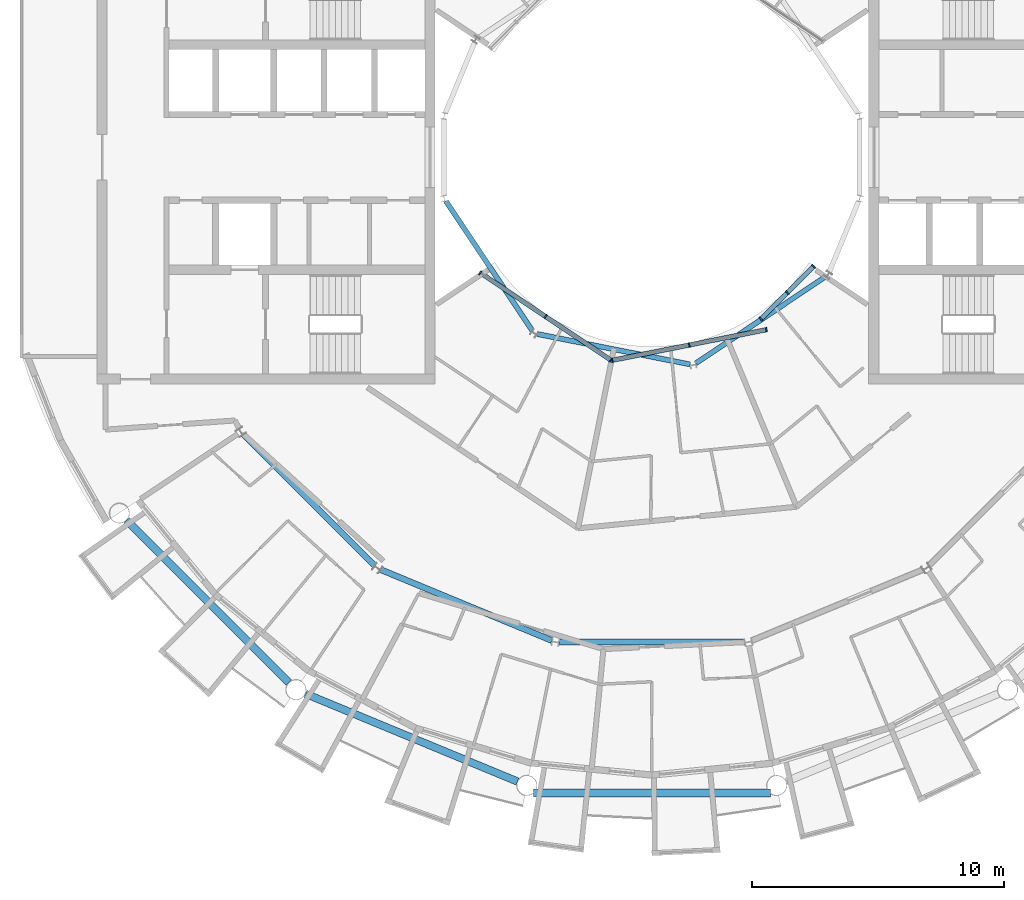
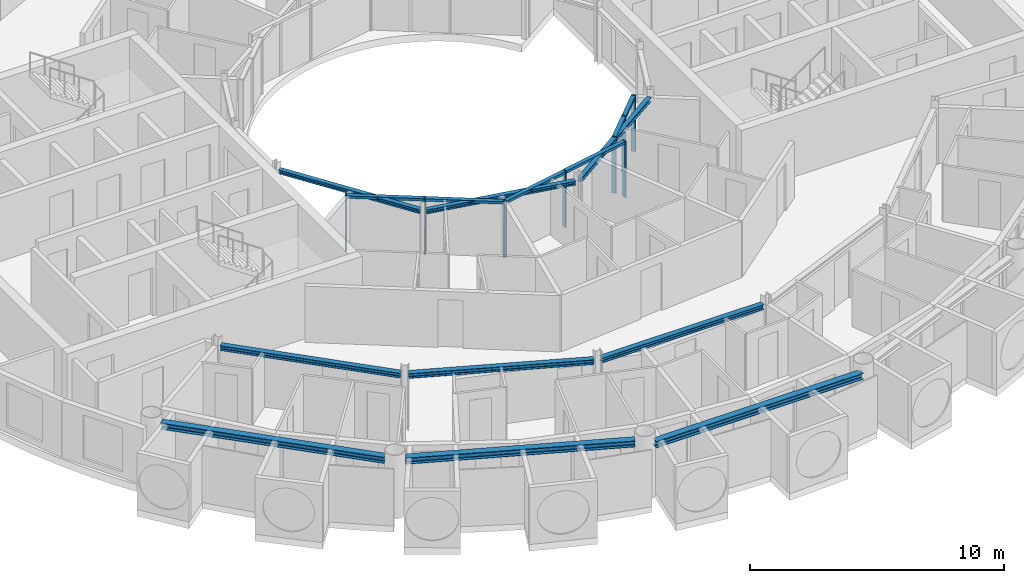
# One storey, part 6 of 27: 15 members, 9 beams, 3 elements without a shape of their own.
"""IFC4 building model written with IfcOpenShell, lengths in metres."""

from ifc_helpers import new_model, si_unit, direction, frame, origin, origin_2d, place, context, subcontext, project, spatial, rectangle, i_section, extrude, material, layer, layer_set, material_profile, profile_set, type_object, element, aggregate, save


model = new_model("IFC4")

# Units and contexts
model_context = context("Model", 3, precision=1e-05, world=origin(), true_north=direction((0.0, 1.0)))
body_context = subcontext(model_context, "Body", "Model", "MODEL_VIEW")
ifc_project = project(units=[si_unit("LENGTHUNIT", "METRE"), si_unit("AREAUNIT", "SQUARE_METRE"), si_unit("VOLUMEUNIT", "CUBIC_METRE"), si_unit("PLANEANGLEUNIT", "RADIAN"), si_unit("MASSUNIT", "GRAM", prefix="KILO")], contexts=[model_context])

# Site, building, storey
site_placement = place(None, origin())
site = spatial("IfcSite", under=ifc_project, at=site_placement, CompositionType="ELEMENT")
building_placement = place(site_placement, origin())
building = spatial("IfcBuilding", under=site, at=building_placement, Name="Maasbend Ring Residences", CompositionType="ELEMENT")
storey_placement = place(building_placement, frame((0.0, 0.0, 240.14990234375)))
storey = spatial("IfcBuildingStorey", under=building, at=storey_placement, Name="L69", CompositionType="ELEMENT", Elevation=240.14990234375)

# Curtain wall, members
ifc_material_1 = material(Name="Aluminium and clear glass", Category="aluminium")
ifc_layer = layer(ifc_material_1, 0.179931640625)
ifc_layer_set = layer_set([ifc_layer], Name="CW-W")
curtain_wall_type = type_object("IfcCurtainWallType", Name="CW-W", PredefinedType="NOTDEFINED", material=ifc_layer_set)
curtain_wall_1_placement = place(storey_placement, origin())
curtain_wall_1 = element("IfcCurtainWall", 1, at=curtain_wall_1_placement, inside=storey, type_object=curtain_wall_type, Name="Well curtain wall S1", PredefinedType="NOTDEFINED")
ifc_material_2 = material(Name="Aluminium 6063-T6", Category="aluminium")
ifc_material_profile_1 = material_profile(ifc_material_2, rectangle(XDim=0.179931640625, YDim=0.06005859375, at=origin_2d()), Name="AL 180x60")
ifc_profile_set_1 = profile_set([ifc_material_profile_1], Name="Aluminium 6063-T6")
member_type_1 = type_object("IfcMemberType", Name="CWM-W", PredefinedType="MULLION", material=ifc_profile_set_1)
member_1_placement = place(storey_placement, frame((-6.805908203125, -4.580810546875, 0.0), z_axis=(0.0, 0.0, 1.0), x_axis=(0.55557023302, 0.831469612303, 0.0)))
member_1 = element("IfcMember", 2, at=member_1_placement, type_object=member_type_1, Name="Mullion well face", PredefinedType="MULLION", context=body_context, shape_type="SweptSolid", body=[
    extrude(rectangle(XDim=0.179931640625, YDim=0.06005859375, at=origin_2d()), origin(), (0.0, 0.0, 1.0), 2.7001953125),
])
member_2_placement = place(storey_placement, frame((-4.216796875, -6.310791015625, 0.0), z_axis=(0.0, 0.0, 1.0), x_axis=(0.55557023302, 0.831469612303, 0.0)))
member_2 = element("IfcMember", 3, at=member_2_placement, type_object=member_type_1, Name="Mullion well face", PredefinedType="MULLION", context=body_context, shape_type="SweptSolid", body=[
    extrude(rectangle(XDim=0.179931640625, YDim=0.06005859375, at=origin_2d()), origin(), (0.0, 0.0, 1.0), 2.7001953125),
])
member_3_placement = place(storey_placement, frame((-1.627685546875, -8.040771484375, 0.0), z_axis=(0.0, 0.0, 1.0), x_axis=(0.55557023302, 0.831469612303, 0.0)))
member_3 = element("IfcMember", 4, at=member_3_placement, type_object=member_type_1, Name="Mullion well face", PredefinedType="MULLION", context=body_context, shape_type="SweptSolid", body=[
    extrude(rectangle(XDim=0.179931640625, YDim=0.06005859375, at=origin_2d()), origin(), (0.0, 0.0, 1.0), 2.7001953125),
])

curtain_wall_2_placement = place(storey_placement, origin())
curtain_wall_2 = element("IfcCurtainWall", 5, at=curtain_wall_2_placement, inside=storey, type_object=curtain_wall_type, Name="Well curtain wall S2", PredefinedType="NOTDEFINED")
member_4_placement = place(storey_placement, frame((-1.5732421875, -8.0517578125, 0.0), z_axis=(0.0, 0.0, 1.0), x_axis=(-0.195090322016, 0.980785280403, 0.0)))
member_4 = element("IfcMember", 6, at=member_4_placement, type_object=member_type_1, Name="Mullion well face", PredefinedType="MULLION", context=body_context, shape_type="SweptSolid", body=[
    extrude(rectangle(XDim=0.179931640625, YDim=0.06005859375, at=origin_2d()), origin(), (0.0, 0.0, 1.0), 2.7001953125),
])
member_5_placement = place(storey_placement, frame((1.480712890625, -7.444091796875, 0.0), z_axis=(0.0, 0.0, 1.0), x_axis=(-0.195090322016, 0.980785280403, 0.0)))
member_5 = element("IfcMember", 7, at=member_5_placement, type_object=member_type_1, Name="Mullion well face", PredefinedType="MULLION", context=body_context, shape_type="SweptSolid", body=[
    extrude(rectangle(XDim=0.179931640625, YDim=0.06005859375, at=origin_2d()), origin(), (0.0, 0.0, 1.0), 2.7001953125),
])
member_6_placement = place(storey_placement, frame((4.53466796875, -6.836669921875, 0.0), z_axis=(0.0, 0.0, 1.0), x_axis=(-0.195090322016, 0.980785280403, 0.0)))
member_6 = element("IfcMember", 8, at=member_6_placement, type_object=member_type_1, Name="Mullion well face", PredefinedType="MULLION", context=body_context, shape_type="SweptSolid", body=[
    extrude(rectangle(XDim=0.179931640625, YDim=0.06005859375, at=origin_2d()), origin(), (0.0, 0.0, 1.0), 2.7001953125),
])

curtain_wall_3_placement = place(storey_placement, origin())
curtain_wall_3 = element("IfcCurtainWall", 9, at=curtain_wall_3_placement, inside=storey, type_object=curtain_wall_type, Name="Well curtain wall S3", PredefinedType="NOTDEFINED")
member_7_placement = place(storey_placement, frame((4.320556640625, -6.413330078125, 0.0), z_axis=(0.0, 0.0, 1.0), x_axis=(-0.707106781187, 0.707106781187, 0.0)))
member_7 = element("IfcMember", 10, at=member_7_placement, type_object=member_type_1, Name="Mullion well face", PredefinedType="MULLION", context=body_context, shape_type="SweptSolid", body=[
    extrude(rectangle(XDim=0.179931640625, YDim=0.06005859375, at=origin_2d()), origin(), (0.0, 0.0, 1.0), 2.7001953125),
])
member_8_placement = place(storey_placement, frame((5.366943359375, -5.366943359375, 0.0), z_axis=(0.0, 0.0, 1.0), x_axis=(-0.707106781187, 0.707106781187, 0.0)))
member_8 = element("IfcMember", 11, at=member_8_placement, type_object=member_type_1, Name="Mullion well face", PredefinedType="MULLION", context=body_context, shape_type="SweptSolid", body=[
    extrude(rectangle(XDim=0.179931640625, YDim=0.06005859375, at=origin_2d()), origin(), (0.0, 0.0, 1.0), 2.7001953125),
])
member_9_placement = place(storey_placement, frame((6.413330078125, -4.320556640625, 0.0), z_axis=(0.0, 0.0, 1.0), x_axis=(-0.707106781187, 0.707106781187, 0.0)))
member_9 = element("IfcMember", 12, at=member_9_placement, type_object=member_type_1, Name="Mullion well face", PredefinedType="MULLION", context=body_context, shape_type="SweptSolid", body=[
    extrude(rectangle(XDim=0.179931640625, YDim=0.06005859375, at=origin_2d()), origin(), (0.0, 0.0, 1.0), 2.7001953125),
])

# Member
ifc_material_3 = material(Name="Aluminium 6063-T6", Category="aluminium")
ifc_material_profile_2 = material_profile(ifc_material_3, rectangle(XDim=0.179931640625, YDim=0.1201171875, at=origin_2d()), Name="AL 180x120")
ifc_profile_set_2 = profile_set([ifc_material_profile_2], Name="Aluminium 6063-T6")
member_type_2 = type_object("IfcMemberType", Name="CWT-W", PredefinedType="USERDEFINED", material=ifc_profile_set_2)
member_10_placement = place(storey_placement, frame((-6.781005859375, -4.59765625, 2.64013671875), z_axis=(0.831496422459, -0.555530106689, 0.0), x_axis=(0.555530106689, 0.831496422459, 0.0)))
member_10 = element("IfcMember", 13, at=member_10_placement, type_object=member_type_2, Name="Transom well face", ObjectType="TRANSOM", PredefinedType="USERDEFINED", context=body_context, shape_type="SweptSolid", body=[
    extrude(rectangle(XDim=0.179931640625, YDim=0.1201171875, at=origin_2d()), origin(), (0.0, 0.0, 1.0), 3.053955078125),
])

member_11_placement = place(storey_placement, frame((-4.19189453125, -6.32763671875, 2.64013671875), z_axis=(0.831496422459, -0.555530106689, 0.0), x_axis=(0.555530106689, 0.831496422459, 0.0)))
member_11 = element("IfcMember", 14, at=member_11_placement, type_object=member_type_2, Name="Transom well face", ObjectType="TRANSOM", PredefinedType="USERDEFINED", context=body_context, shape_type="SweptSolid", body=[
    extrude(rectangle(XDim=0.179931640625, YDim=0.1201171875, at=origin_2d()), origin(), (0.0, 0.0, 1.0), 3.053955078125),
])

aggregate(curtain_wall_1, [member_1, member_2, member_3, member_10, member_11])

member_12_placement = place(storey_placement, frame((-1.5439453125, -8.0458984375, 2.64013671875), z_axis=(0.980776956105, 0.195132166424, 0.0), x_axis=(-0.195132166424, 0.980776956105, 0.0)))
member_12 = element("IfcMember", 15, at=member_12_placement, type_object=member_type_2, Name="Transom well face", ObjectType="TRANSOM", PredefinedType="USERDEFINED", context=body_context, shape_type="SweptSolid", body=[
    extrude(rectangle(XDim=0.179931640625, YDim=0.1201171875, at=origin_2d()), origin(), (0.0, 0.0, 1.0), 3.053955078125),
])

member_13_placement = place(storey_placement, frame((1.51025390625, -7.438232421875, 2.64013671875), z_axis=(0.980789210404, 0.19507056353, 0.0), x_axis=(-0.19507056353, 0.980789210404, 0.0)))
member_13 = element("IfcMember", 16, at=member_13_placement, type_object=member_type_2, Name="Transom well face", ObjectType="TRANSOM", PredefinedType="USERDEFINED", context=body_context, shape_type="SweptSolid", body=[
    extrude(rectangle(XDim=0.179931640625, YDim=0.1201171875, at=origin_2d()), origin(), (0.0, 0.0, 1.0), 3.0537109375),
])

aggregate(curtain_wall_2, [member_4, member_5, member_6, member_12, member_13])

member_14_placement = place(storey_placement, frame((4.341796875, -6.39208984375, 2.64013671875), z_axis=(0.707106781187, 0.707106781187, 0.0), x_axis=(-0.707106781187, 0.707106781187, 0.0)))
member_14 = element("IfcMember", 17, at=member_14_placement, type_object=member_type_2, Name="Transom well face", ObjectType="TRANSOM", PredefinedType="USERDEFINED", context=body_context, shape_type="SweptSolid", body=[
    extrude(rectangle(XDim=0.179931640625, YDim=0.1201171875, at=origin_2d()), origin(), (0.0, 0.0, 1.0), 1.419677734375),
])

member_15_placement = place(storey_placement, frame((5.38818359375, -5.345703125, 2.64013671875), z_axis=(0.707106781187, 0.707106781187, 0.0), x_axis=(-0.707106781187, 0.707106781187, 0.0)))
member_15 = element("IfcMember", 18, at=member_15_placement, type_object=member_type_2, Name="Transom well face", ObjectType="TRANSOM", PredefinedType="USERDEFINED", context=body_context, shape_type="SweptSolid", body=[
    extrude(rectangle(XDim=0.179931640625, YDim=0.1201171875, at=origin_2d()), origin(), (0.0, 0.0, 1.0), 1.419677734375),
])

aggregate(curtain_wall_3, [member_7, member_8, member_9, member_14, member_15])

# Beams
ifc_material_4 = material(Name="Steel S355J2", Category="steel")
ifc_material_profile_3 = material_profile(ifc_material_4, i_section(OverallWidth=0.239990234375, OverallDepth=0.22998046875, WebThickness=0.007568359375, FlangeThickness=0.011962890625, FilletRadius=0.02099609375, at=origin_2d()), Name="HEA 240")
ifc_profile_set_3 = profile_set([ifc_material_profile_3], Name="Steel S355J2")
beam_type_1 = type_object("IfcBeamType", Name="Corridor ring beam HEA 240", PredefinedType="BEAM", material=ifc_profile_set_3)
beam_1_placement = place(storey_placement, frame((-16.188720703125, -10.997314453125, 2.585205078125), z_axis=(0.707106781187, -0.707106781187, 0.0), x_axis=(0.707106781187, 0.707106781187, 0.0)))
element("IfcBeam", 19, at=beam_1_placement, inside=storey, type_object=beam_type_1, Name="Corridor ring beam", PredefinedType="BEAM", context=body_context, shape_type="SweptSolid", body=[
    extrude(i_section(OverallWidth=0.239990234375, OverallDepth=0.22998046875, WebThickness=0.007568359375, FlangeThickness=0.011962890625, FilletRadius=0.02099609375, at=origin_2d()), origin(), (0.0, 0.0, 1.0), 7.341796875),
])
beam_2_placement = place(storey_placement, frame((-10.747802734375, -16.355224609375, 2.585205078125), z_axis=(0.923875784142, -0.382692481603, 0.0), x_axis=(0.382692481603, 0.923875784142, 0.0)))
element("IfcBeam", 20, at=beam_2_placement, inside=storey, type_object=beam_type_1, Name="Corridor ring beam", PredefinedType="BEAM", context=body_context, shape_type="SweptSolid", body=[
    extrude(i_section(OverallWidth=0.239990234375, OverallDepth=0.22998046875, WebThickness=0.007568359375, FlangeThickness=0.011962890625, FilletRadius=0.02099609375, at=origin_2d()), origin(), (0.0, 0.0, 1.0), 7.341552734375),
])
beam_3_placement = place(storey_placement, frame((-3.6708984375, -19.223388671875, 2.585205078125), z_axis=(1.0, 0.0, 0.0), x_axis=(0.0, 1.0, 0.0)))
element("IfcBeam", 21, at=beam_3_placement, inside=storey, type_object=beam_type_1, Name="Corridor ring beam", PredefinedType="BEAM", context=body_context, shape_type="SweptSolid", body=[
    extrude(i_section(OverallWidth=0.239990234375, OverallDepth=0.22998046875, WebThickness=0.007568359375, FlangeThickness=0.011962890625, FilletRadius=0.02099609375, at=origin_2d()), origin(), (0.0, 0.0, 1.0), 7.341796875),
])
ifc_material_5 = material(Name="Steel S355J2", Category="steel")
ifc_material_profile_4 = material_profile(ifc_material_5, i_section(OverallWidth=0.300048828125, OverallDepth=0.300048828125, WebThickness=0.010986328125, FlangeThickness=0.01904296875, FilletRadius=0.027099609375, at=origin_2d()), Name="HEB 300")
ifc_profile_set_4 = profile_set([ifc_material_profile_4], Name="Steel S355J2")
beam_type_2 = type_object("IfcBeamType", Name="Spandrel ring beam HEB 300", PredefinedType="SPANDREL", material=ifc_profile_set_4)
for number, where, z_axis, x_axis, name in (
    (22, (-20.831787109375, -14.39892578125, 2.550048828125), (0.707106781187, -0.707106781187, 0.0), (0.707106781187, 0.707106781187, 0.0), "Spandrel ring beam"),
    (23, (-13.73583984375, -21.27490234375, 2.550048828125), (0.923880768897, -0.382680447453, 0.0), (0.382680447453, 0.923880768897, 0.0), "Spandrel ring beam"),
):
    element("IfcBeam", number, at=place(storey_placement, frame(where, z_axis=z_axis, x_axis=x_axis)), inside=storey, type_object=beam_type_2, Name=name, PredefinedType="SPANDREL", context=body_context, shape_type="SweptSolid", body=[
        extrude(i_section(OverallWidth=0.300048828125, OverallDepth=0.300048828125, WebThickness=0.010986328125, FlangeThickness=0.01904296875, FilletRadius=0.027099609375, at=origin_2d()), origin(), (0.0, 0.0, 1.0), 9.097412109375),
    ])
beam_4_placement = place(storey_placement, frame((-4.69873046875, -25.2119140625, 2.550048828125), z_axis=(1.0, 0.0, 0.0), x_axis=(0.0, 1.0, 0.0)))
element("IfcBeam", 24, at=beam_4_placement, inside=storey, type_object=beam_type_2, Name="Spandrel ring beam", PredefinedType="SPANDREL", context=body_context, shape_type="SweptSolid", body=[
    extrude(i_section(OverallWidth=0.300048828125, OverallDepth=0.300048828125, WebThickness=0.010986328125, FlangeThickness=0.01904296875, FilletRadius=0.027099609375, at=origin_2d()), origin(), (0.0, 0.0, 1.0), 9.3974609375),
])
ifc_material_6 = material(Name="Steel S355J2", Category="steel")
ifc_material_profile_5 = material_profile(ifc_material_6, i_section(OverallWidth=0.199951171875, OverallDepth=0.18994140625, WebThickness=0.006591796875, FlangeThickness=0.010009765625, FilletRadius=0.01806640625, at=origin_2d()), Name="HEA 200")
ifc_profile_set_5 = profile_set([ifc_material_profile_5], Name="Steel S355J2")
beam_type_3 = type_object("IfcBeamType", Name="Well edge beam HEA 200", PredefinedType="BEAM", material=ifc_profile_set_5)
for number, where, z_axis, x_axis, name in (
    (25, (-8.16943359375, -1.7421875, 2.60498046875), (0.555547729421, -0.831484648286, 0.0), (0.831484648286, 0.555547729421, 0.0), "Well edge beam"),
    (26, (-4.544677734375, -7.008544921875, 2.60498046875), (0.98078072474, -0.195113223486, 0.0), (0.195113223486, 0.98078072474, 0.0), "Well edge beam"),
    (27, (1.7421875, -8.16943359375, 2.60498046875), (0.831484648286, 0.555547729421, 0.0), (-0.555547729421, 0.831484648286, 0.0), "Well edge beam"),
):
    element("IfcBeam", number, at=place(storey_placement, frame(where, z_axis=z_axis, x_axis=x_axis)), inside=storey, type_object=beam_type_3, Name=name, PredefinedType="BEAM", context=body_context, shape_type="SweptSolid", body=[
        extrude(i_section(OverallWidth=0.199951171875, OverallDepth=0.18994140625, WebThickness=0.006591796875, FlangeThickness=0.010009765625, FilletRadius=0.01806640625, at=origin_2d()), origin(), (0.0, 0.0, 1.0), 6.18017578125),
    ])

save(model, "model.ifc")
